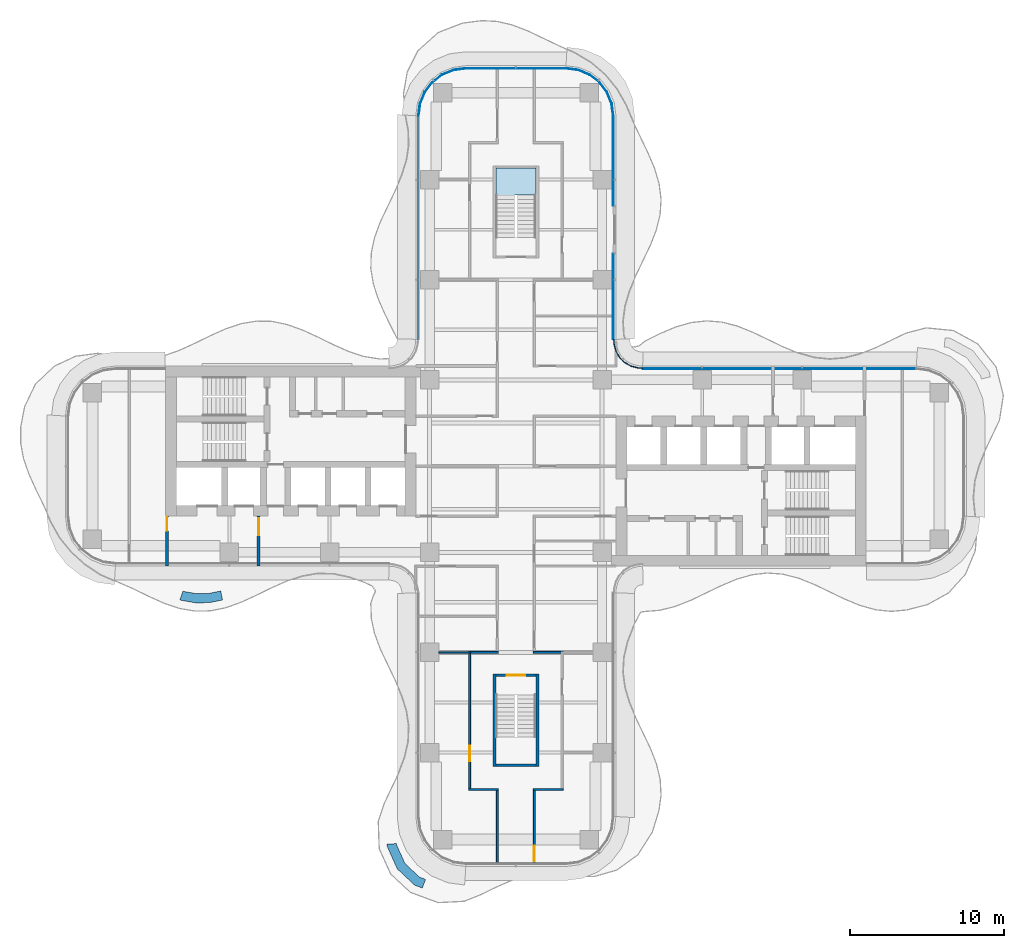
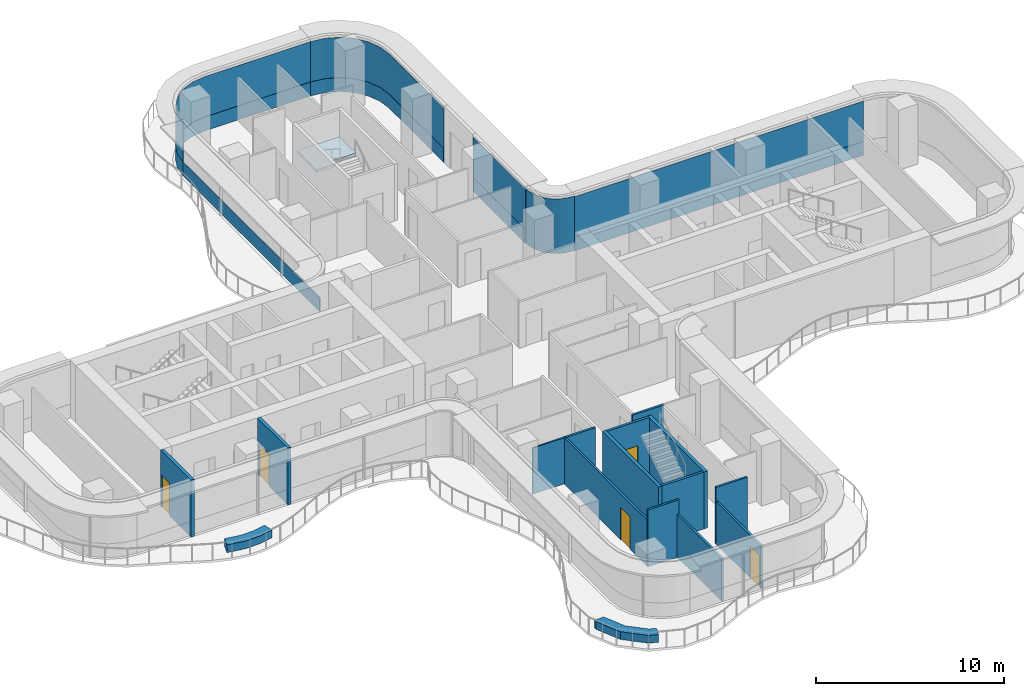
# One storey, part 11 of 17: 16 walls, 10 plates, 5 doors, 1 slab, 5 openings, 7 elements without a shape of their own.
"""IFC4 building model written with IfcOpenShell, lengths in metres."""

from ifc_helpers import new_model, si_unit, direction, frame, frame_2d, origin, place, context, subcontext, project, spatial, polyline, rectangle, outline, extrude, source, transform, mapped, material, layer, layer_set, type_object, element, fill, aggregate, save


model = new_model("IFC4")

# Units and contexts
model_context = context("Model", 3, precision=1e-05, world=origin(), true_north=direction((0.0, 1.0)))
body_context = subcontext(model_context, "Body", "Model", "MODEL_VIEW")
ifc_project = project(units=[si_unit("LENGTHUNIT", "METRE"), si_unit("AREAUNIT", "SQUARE_METRE"), si_unit("VOLUMEUNIT", "CUBIC_METRE"), si_unit("PLANEANGLEUNIT", "RADIAN"), si_unit("MASSUNIT", "GRAM", prefix="KILO")], contexts=[model_context])

# Site, building, storey
site_placement = place(None, origin())
site = spatial("IfcSite", under=ifc_project, at=site_placement, CompositionType="ELEMENT")
building_placement = place(site_placement, origin())
building = spatial("IfcBuilding", under=site, at=building_placement, Name="Trellis Farm Tower", CompositionType="ELEMENT")
storey_placement = place(building_placement, frame((0.0, 0.0, 173.699951171875)))
storey = spatial("IfcBuildingStorey", under=building, at=storey_placement, Name="L37", CompositionType="ELEMENT", Elevation=173.699951171875)

# Curtain wall, plate
ifc_material_1 = material(Name="Aluminium and glass curtain wall", Category="aluminium")
ifc_layer_1 = layer(ifc_material_1, 0.18994140625)
ifc_layer_set_1 = layer_set([ifc_layer_1], Name="RIBBON CURTAIN WALL CW1")
curtain_wall_type_1 = type_object("IfcCurtainWallType", Name="RIBBON CURTAIN WALL CW1", PredefinedType="NOTDEFINED", material=ifc_layer_set_1)
placement_1 = place(storey_placement, origin())
curtain_wall_1 = element("IfcCurtainWall", 1, at=placement_1, inside=storey, type_object=curtain_wall_type_1, Name="CW1 008", PredefinedType="NOTDEFINED")
ifc_material_2 = material(Name="Clear insulated glass", Category="glass")
ifc_layer_2 = layer(ifc_material_2, 0.0400390625)
ifc_layer_set_2 = layer_set([ifc_layer_2], Name="CW1 GLASS PANEL 40")
plate_type_1 = type_object("IfcPlateType", Name="CW1 GLASS PANEL 40", PredefinedType="CURTAIN_PANEL", material=ifc_layer_set_2)
placement_2 = place(storey_placement, frame((0.0, 0.0, 0.900146484375)))
plate_1 = element("IfcPlate", 2, at=placement_2, type_object=plate_type_1, Name="PL1 008", PredefinedType="CURTAIN_PANEL", context=body_context, shape_type="SweptSolid", body=[
    extrude(outline(polyline([(6.35009765625, 8.2265625), (6.35009765625, 13.7900390625), (6.31005859375, 13.7900390625), (6.31005859375, 8.22509765625), (6.35009765625, 8.2265625)])), origin(), (0.0, 0.0, 1.0), 2.619873046875),
])

curtain_wall_2 = element("IfcCurtainWall", 3, at=placement_1, inside=storey, type_object=curtain_wall_type_1, Name="CW1 009", PredefinedType="NOTDEFINED")
plate_2 = element("IfcPlate", 4, at=placement_2, type_object=plate_type_1, Name="PL1 009", PredefinedType="CURTAIN_PANEL", context=body_context, shape_type="SweptSolid", body=[
    extrude(outline(polyline([(6.35009765625, 16.909912109375), (6.35009765625, 22.740234375), (6.2431640625, 23.552001953125), (5.93359375, 24.29931640625), (5.441162109375, 24.941162109375), (4.79931640625, 25.43359375), (4.052001953125, 25.7431640625), (3.240234375, 25.85009765625), (3.237548828125, 25.81005859375), (4.04150390625, 25.7041015625), (4.779296875, 25.398681640625), (5.41259765625, 24.91259765625), (5.898681640625, 24.279296875), (6.2041015625, 23.54150390625), (6.31005859375, 22.737548828125), (6.31005859375, 16.909912109375), (6.35009765625, 16.909912109375)])), origin(), (0.0, 0.0, 1.0), 2.619873046875),
])

# Plate
ifc_material_3 = material(Name="Sandstone faced insulated panel", Category="masonry")
ifc_layer_3 = layer(ifc_material_3, 0.050048828125)
ifc_layer_set_3 = layer_set([ifc_layer_3], Name="CW1 STONE SPANDREL PANEL 50")
plate_type_2 = type_object("IfcPlateType", Name="CW1 STONE SPANDREL PANEL 50", PredefinedType="CURTAIN_PANEL", material=ifc_layer_set_3)
plate_3 = element("IfcPlate", 5, at=placement_1, type_object=plate_type_2, Name="PS1 008", PredefinedType="CURTAIN_PANEL", context=body_context, shape_type="SweptSolid", body=[
    extrude(outline(polyline([(6.35009765625, 8.2265625), (6.35009765625, 13.7900390625), (6.300048828125, 13.7900390625), (6.300048828125, 8.224853515625), (6.35009765625, 8.2265625)])), origin(), (0.0, 0.0, 1.0), 0.900146484375),
])

aggregate(curtain_wall_1, [plate_1, plate_3])

plate_4 = element("IfcPlate", 6, at=placement_1, type_object=plate_type_2, Name="PS1 009", PredefinedType="CURTAIN_PANEL", context=body_context, shape_type="SweptSolid", body=[
    extrude(outline(polyline([(6.35009765625, 16.909912109375), (6.35009765625, 22.740234375), (6.2431640625, 23.552001953125), (5.93359375, 24.29931640625), (5.441162109375, 24.941162109375), (4.79931640625, 25.43359375), (4.052001953125, 25.7431640625), (3.240234375, 25.85009765625), (3.23681640625, 25.800048828125), (4.0390625, 25.6943359375), (4.774169921875, 25.389892578125), (5.405517578125, 24.905517578125), (5.889892578125, 24.274169921875), (6.1943359375, 23.5390625), (6.300048828125, 22.73681640625), (6.300048828125, 16.909912109375), (6.35009765625, 16.909912109375)])), origin(), (0.0, 0.0, 1.0), 0.900146484375),
])

aggregate(curtain_wall_2, [plate_2, plate_4])

# Stair, slab
ifc_material_4 = material(Name="Concrete C50/60", Category="concrete")
stair_type = type_object("IfcStairType", Name="CORE EXIT STAIR 22 RISERS 177 MM", PredefinedType="HALF_TURN_STAIR", material=ifc_material_4)
stair = element("IfcStair", 7, at=placement_1, inside=storey, type_object=stair_type, Name="Exit stair N", PredefinedType="HALF_TURN_STAIR")
ifc_layer_4 = layer(ifc_material_4, 0.18994140625)
ifc_layer_set_4 = layer_set([ifc_layer_4], Name="CORE STAIR LANDING 190 CONCRETE C50/60")
slab_type = type_object("IfcSlabType", Name="CORE STAIR LANDING 190 CONCRETE C50/60", PredefinedType="LANDING", material=ifc_layer_set_4)
shared_shape_1 = source(origin(), body_context, "Body", "SweptSolid", [
    extrude(outline(polyline([(-0.10009765625, 17.27197265625), (-1.300048828125, 17.27197265625), (-1.300048828125, 17.60009765625), (-1.300048828125, 19.35009765625), (1.300048828125, 19.35009765625), (1.300048828125, 17.60009765625), (1.300048828125, 17.590087890625), (0.10009765625, 17.590087890625), (0.10009765625, 17.60009765625), (-0.10009765625, 17.60009765625), (-0.10009765625, 17.27197265625)])), origin(), (0.0, 0.0, 1.0), 0.18994140625),
])
slab_placement = place(storey_placement, frame((0.0, 0.0, 1.760009765625)))
slab = element("IfcSlab", 8, at=slab_placement, type_object=slab_type, Name="STN landing 1", PredefinedType="LANDING", context=body_context, shape_type="MappedRepresentation", body=[
    mapped(shared_shape_1, transform((0.0, 0.0, 0.0))),
])
aggregate(stair, [slab])

# Curtain wall, plate
ifc_layer_5 = layer(ifc_material_1, 0.166015625)
ifc_layer_set_5 = layer_set([ifc_layer_5], Name="WINTER GARDEN CURTAIN WALL CW3")
curtain_wall_type_2 = type_object("IfcCurtainWallType", Name="WINTER GARDEN CURTAIN WALL CW3", PredefinedType="NOTDEFINED", material=ifc_layer_set_5)
curtain_wall_3 = element("IfcCurtainWall", 9, at=placement_1, inside=storey, type_object=curtain_wall_type_2, Name="CW3 003", PredefinedType="NOTDEFINED")
ifc_layer_6 = layer(ifc_material_2, 0.0458984375)
ifc_layer_set_6 = layer_set([ifc_layer_6], Name="CW3 GLASS PANEL 46")
plate_type_3 = type_object("IfcPlateType", Name="CW3 GLASS PANEL 46", PredefinedType="CURTAIN_PANEL", material=ifc_layer_set_6)
shared_shape_2 = source(origin(), body_context, "Body", "SweptSolid", [
    extrude(outline(polyline([(8.2275390625, 6.3798828125), (8.0078125, 6.394287109375), (7.89208984375, 6.40966796875), (7.462158203125, 6.52490234375), (7.070556640625, 6.7509765625), (6.7509765625, 7.070556640625), (6.52490234375, 7.462158203125), (6.40966796875, 7.89208984375), (6.394287109375, 8.0078125), (6.3798828125, 8.2275390625), (6.333984375, 8.22607421875), (6.3486328125, 8.003173828125), (6.364501953125, 7.883056640625), (6.48193359375, 7.4443359375), (6.714111328125, 7.04248046875), (7.04248046875, 6.714111328125), (7.4443359375, 6.48193359375), (7.883056640625, 6.364501953125), (8.003173828125, 6.3486328125), (8.22607421875, 6.333984375), (8.2275390625, 6.3798828125)])), origin(), (0.0, 0.0, 1.0), 3.550048828125),
])
plate_5 = element("IfcPlate", 10, at=placement_1, type_object=plate_type_3, Name="PL3 003", PredefinedType="CURTAIN_PANEL", context=body_context, shape_type="MappedRepresentation", body=[
    mapped(shared_shape_2, transform((0.0, 0.0, 0.0))),
])
aggregate(curtain_wall_3, [plate_5])

# Curtain wall, plates
curtain_wall_4 = element("IfcCurtainWall", 11, at=placement_1, inside=storey, type_object=curtain_wall_type_1, Name="CW1 007", PredefinedType="NOTDEFINED")
shared_shape_3 = source(origin(), body_context, "Body", "SweptSolid", [
    extrude(outline(polyline([(25.990234375, 6.35009765625), (8.2265625, 6.35009765625), (8.22509765625, 6.31005859375), (25.987548828125, 6.31005859375), (25.990234375, 6.35009765625)])), origin(), (0.0, 0.0, 1.0), 2.619873046875),
])
plate_6 = element("IfcPlate", 12, at=placement_2, type_object=plate_type_1, Name="PL1 007", PredefinedType="CURTAIN_PANEL", context=body_context, shape_type="MappedRepresentation", body=[
    mapped(shared_shape_3, transform((0.0, 0.0, 0.0))),
])
shared_shape_4 = source(origin(), body_context, "Body", "SweptSolid", [
    extrude(outline(polyline([(25.990234375, 6.35009765625), (8.2265625, 6.35009765625), (8.224853515625, 6.300048828125), (25.98681640625, 6.300048828125), (25.990234375, 6.35009765625)])), origin(), (0.0, 0.0, 1.0), 0.900146484375),
])
plate_7 = element("IfcPlate", 13, at=placement_1, type_object=plate_type_2, Name="PS1 007", PredefinedType="CURTAIN_PANEL", context=body_context, shape_type="MappedRepresentation", body=[
    mapped(shared_shape_4, transform((0.0, 0.0, 0.0))),
])
aggregate(curtain_wall_4, [plate_6, plate_7])

curtain_wall_5 = element("IfcCurtainWall", 14, at=placement_1, inside=storey, type_object=curtain_wall_type_1, Name="CW1 010", PredefinedType="NOTDEFINED")
shared_shape_5 = source(origin(), body_context, "Body", "SweptSolid", [
    extrude(outline(polyline([(3.240234375, 25.85009765625), (-3.240234375, 25.85009765625), (-4.052001953125, 25.7431640625), (-4.79931640625, 25.43359375), (-5.441162109375, 24.941162109375), (-5.93359375, 24.29931640625), (-6.2431640625, 23.552001953125), (-6.35009765625, 22.740234375), (-6.31005859375, 22.737548828125), (-6.2041015625, 23.54150390625), (-5.898681640625, 24.279296875), (-5.41259765625, 24.91259765625), (-4.779296875, 25.398681640625), (-4.04150390625, 25.7041015625), (-3.237548828125, 25.81005859375), (3.237548828125, 25.81005859375), (3.240234375, 25.85009765625)])), origin(), (0.0, 0.0, 1.0), 2.619873046875),
])
plate_8 = element("IfcPlate", 15, at=placement_2, type_object=plate_type_1, Name="PL1 010", PredefinedType="CURTAIN_PANEL", context=body_context, shape_type="MappedRepresentation", body=[
    mapped(shared_shape_5, transform((0.0, 0.0, 0.0))),
])
shared_shape_6 = source(origin(), body_context, "Body", "SweptSolid", [
    extrude(outline(polyline([(3.240234375, 25.85009765625), (-3.240234375, 25.85009765625), (-4.052001953125, 25.7431640625), (-4.79931640625, 25.43359375), (-5.441162109375, 24.941162109375), (-5.93359375, 24.29931640625), (-6.2431640625, 23.552001953125), (-6.35009765625, 22.740234375), (-6.300048828125, 22.73681640625), (-6.1943359375, 23.5390625), (-5.889892578125, 24.274169921875), (-5.405517578125, 24.905517578125), (-4.774169921875, 25.389892578125), (-4.0390625, 25.6943359375), (-3.23681640625, 25.800048828125), (3.23681640625, 25.800048828125), (3.240234375, 25.85009765625)])), origin(), (0.0, 0.0, 1.0), 0.900146484375),
])
plate_9 = element("IfcPlate", 16, at=placement_1, type_object=plate_type_2, Name="PS1 010", PredefinedType="CURTAIN_PANEL", context=body_context, shape_type="MappedRepresentation", body=[
    mapped(shared_shape_6, transform((0.0, 0.0, 0.0))),
])
aggregate(curtain_wall_5, [plate_8, plate_9])

# Curtain wall, plate
curtain_wall_6 = element("IfcCurtainWall", 17, at=placement_1, inside=storey, type_object=curtain_wall_type_1, Name="CW1 011", PredefinedType="NOTDEFINED")
shared_shape_7 = source(origin(), body_context, "Body", "SweptSolid", [
    extrude(outline(polyline([(-6.35009765625, 22.740234375), (-6.35009765625, 8.2265625), (-6.300048828125, 8.224853515625), (-6.300048828125, 22.73681640625), (-6.35009765625, 22.740234375)])), origin(), (0.0, 0.0, 1.0), 0.900146484375),
])
plate_10 = element("IfcPlate", 18, at=placement_1, type_object=plate_type_2, Name="PS1 011", PredefinedType="CURTAIN_PANEL", context=body_context, shape_type="MappedRepresentation", body=[
    mapped(shared_shape_7, transform((0.0, 0.0, 0.0))),
])
aggregate(curtain_wall_6, [plate_10])

# Walls
ifc_material_5 = material(Name="Sandstone faced masonry planter", Category="masonry")
ifc_layer_7 = layer(ifc_material_5, 0.60009765625)
ifc_layer_set_7 = layer_set([ifc_layer_7], Name="PLANTER BED 600")
wall_type_1 = type_object("IfcWallType", Name="PLANTER BED 600", PredefinedType="USERDEFINED", material=ifc_layer_set_7)
element("IfcWall", 19, at=placement_1, inside=storey, type_object=wall_type_1, Name="PLANTER bed", ObjectType="PLANTER", PredefinedType="USERDEFINED", context=body_context, shape_type="SweptSolid", body=[
    extrude(outline(polyline([(-7.69970703125, -26.15673828125), (-8.352783203125, -24.705078125), (-8.3583984375, -24.535888671875), (-7.758544921875, -24.5166015625), (-7.757080078125, -24.567138671875), (-7.20166015625, -25.80126953125), (-6.255126953125, -26.689697265625), (-5.864501953125, -26.838134765625), (-6.077392578125, -27.39892578125), (-6.5791015625, -27.20849609375), (-7.69970703125, -26.15673828125)])), origin(), (0.0, 0.0, 1.0), 0.5),
])
element("IfcWall", 20, at=placement_1, inside=storey, type_object=wall_type_1, Name="PLANTER bed", ObjectType="PLANTER", PredefinedType="USERDEFINED", context=body_context, shape_type="SweptSolid", body=[
    extrude(outline(polyline([(-20.792236328125, -8.880859375), (-21.702392578125, -8.72314453125), (-21.8173828125, -8.684326171875), (-21.6259765625, -8.11572265625), (-21.554443359375, -8.139892578125), (-20.74560546875, -8.280029296875), (-19.9609375, -8.267578125), (-19.1630859375, -8.10595703125), (-19.0439453125, -8.694091796875), (-19.89599609375, -8.866455078125), (-20.792236328125, -8.880859375)])), origin(), (0.0, 0.0, 1.0), 0.5),
])

# Wall, opening, door
ifc_material_6 = material(Name="Masonry blockwork", Category="masonry")
ifc_layer_8 = layer(ifc_material_6, 0.199951171875)
ifc_layer_set_8 = layer_set([ifc_layer_8], Name="FIRE LOBBY PARTITION 200 BLOCKWORK")
wall_type_2 = type_object("IfcWallType", Name="FIRE LOBBY PARTITION 200 BLOCKWORK", PredefinedType="PARTITIONING", material=ifc_layer_set_8)
shared_shape_8 = source(origin(), body_context, "Body", "SweptSolid", [
    extrude(rectangle(XDim=3.25, YDim=0.199951171875, at=frame_2d((1.625, 0.0))), origin(), (0.0, 0.0, 1.0), 3.699951171875),
])
wall_3_placement = place(storey_placement, frame((-16.699951171875, -3.25, 0.0), z_axis=(0.0, 0.0, 1.0), x_axis=(0.0, -1.0, 0.0)))
wall_3 = element("IfcWall", 21, at=wall_3_placement, inside=storey, type_object=wall_type_2, Name="Fire-fighting lobby partition", PredefinedType="PARTITIONING", context=body_context, shape_type="MappedRepresentation", body=[
    mapped(shared_shape_8, transform((0.0, 0.0, 0.0))),
])
shared_shape_9 = source(origin(), body_context, "Body", "SweptSolid", [
    extrude(rectangle(XDim=1.10009765625, YDim=2.10009765625, at=frame_2d((0.550048828125, 1.050048828125))), frame((0.0, 0.110107421875, 0.0), z_axis=(0.0, -1.0, 0.0), x_axis=(1.0, 0.0, 0.0)), (0.0, 0.0, 1.0), 0.22021484375),
])
opening_1_placement = place(wall_3_placement, frame((0.14990234375, 0.0, 0.0)))
opening_1 = element("IfcOpeningElement", 22, at=opening_1_placement, cuts=wall_3, Name="Opening DC93", PredefinedType="OPENING", context=body_context, shape_type="MappedRepresentation", body=[
    mapped(shared_shape_9, transform((0.0, 0.0, 0.0))),
])
ifc_material_7 = material(Name="Steel", Category="steel")
door_type_1 = type_object("IfcDoorType", Name="CORE FIRE DOOR 1100 X 2100", OperationType="NOTDEFINED", PredefinedType="DOOR", material=ifc_material_7)
shared_shape_10 = source(origin(), body_context, "Body", "SweptSolid", [
    extrude(rectangle(XDim=1.10009765625, YDim=2.10009765625, at=frame_2d((0.550048828125, 1.050048828125))), frame((0.0, 0.02490234375, 0.0), z_axis=(0.0, -1.0, 0.0), x_axis=(1.0, 0.0, 0.0)), (0.0, 0.0, 1.0), 0.050048828125),
])
door_1_placement = place(opening_1_placement, origin())
door_1 = element("IfcDoor", 23, at=door_1_placement, inside=storey, type_object=door_type_1, Name="Core door", OperationType="SINGLE_SWING_RIGHT", OverallHeight=2.10009765625, OverallWidth=1.10009765625, PredefinedType="DOOR", context=body_context, shape_type="MappedRepresentation", body=[
    mapped(shared_shape_10, transform((0.0, 0.0, 0.0))),
])
fill(opening_1, door_1)

wall_4_placement = place(storey_placement, frame((-22.64990234375, -3.25, 0.0), z_axis=(0.0, 0.0, 1.0), x_axis=(0.0, -1.0, 0.0)))
wall_4 = element("IfcWall", 24, at=wall_4_placement, inside=storey, type_object=wall_type_2, Name="Fire-fighting lobby partition", PredefinedType="PARTITIONING", context=body_context, shape_type="MappedRepresentation", body=[
    mapped(shared_shape_8, transform((0.0, 0.0, 0.0))),
])
shared_shape_11 = source(origin(), body_context, "Body", "SweptSolid", [
    extrude(rectangle(XDim=0.89990234375, YDim=2.10009765625, at=frame_2d((0.449951171875, 1.050048828125))), frame((0.0, 0.110107421875, 0.0), z_axis=(0.0, -1.0, 0.0), x_axis=(1.0, 0.0, 0.0)), (0.0, 0.0, 1.0), 0.22021484375),
])
opening_2_placement = place(wall_4_placement, frame((0.050048828125, 0.0, 0.0)))
opening_2 = element("IfcOpeningElement", 25, at=opening_2_placement, cuts=wall_4, Name="Opening DC94", PredefinedType="OPENING", context=body_context, shape_type="MappedRepresentation", body=[
    mapped(shared_shape_11, transform((0.0, 0.0, 0.0))),
])
door_type_2 = type_object("IfcDoorType", Name="CORE FIRE DOOR 900 X 2100", OperationType="NOTDEFINED", PredefinedType="DOOR", material=ifc_material_7)
shared_shape_12 = source(origin(), body_context, "Body", "SweptSolid", [
    extrude(rectangle(XDim=0.89990234375, YDim=2.10009765625, at=frame_2d((0.449951171875, 1.050048828125))), frame((0.0, 0.02490234375, 0.0), z_axis=(0.0, -1.0, 0.0), x_axis=(1.0, 0.0, 0.0)), (0.0, 0.0, 1.0), 0.050048828125),
])
door_2_placement = place(opening_2_placement, origin())
door_2 = element("IfcDoor", 26, at=door_2_placement, inside=storey, type_object=door_type_2, Name="Core door", OperationType="SINGLE_SWING_RIGHT", OverallHeight=2.10009765625, OverallWidth=0.89990234375, PredefinedType="DOOR", context=body_context, shape_type="MappedRepresentation", body=[
    mapped(shared_shape_12, transform((0.0, 0.0, 0.0))),
])
fill(opening_2, door_2)

# Walls
ifc_material_8 = material(Name="Concrete C70/85", Category="concrete")
ifc_layer_9 = layer(ifc_material_8, 0.199951171875)
ifc_layer_set_9 = layer_set([ifc_layer_9], Name="CORE STAIR ENCLOSURE WALL 200 CONCRETE C70/85")
wall_type_3 = type_object("IfcWallType", Name="CORE STAIR ENCLOSURE WALL 200 CONCRETE C70/85", PredefinedType="SHEAR", material=ifc_layer_set_9)
shared_shape_13 = source(origin(), body_context, "Body", "SweptSolid", [
    extrude(rectangle(XDim=6.0, YDim=0.199951171875, at=frame_2d((3.0, 0.0))), origin(), (0.0, 0.0, 1.0), 3.699951171875),
])
for number, where, z_axis, x_axis, name in (
    (27, (1.39990234375, -13.5, 0.0), (0.0, 0.0, 1.0), (0.0, -1.0, 0.0), "Stair enclosure wall"),
    (28, (-1.39990234375, -13.5, 0.0), (0.0, 0.0, 1.0), (0.0, -1.0, 0.0), "Stair enclosure wall"),
):
    element("IfcWall", number, at=place(storey_placement, frame(where, z_axis=z_axis, x_axis=x_axis)), inside=storey, type_object=wall_type_3, Name=name, PredefinedType="SHEAR", context=body_context, shape_type="MappedRepresentation", body=[
        mapped(shared_shape_13, transform((0.0, 0.0, 0.0))),
    ])

# Wall, opening, door
ifc_layer_10 = layer(ifc_material_8, 0.14990234375)
ifc_layer_set_10 = layer_set([ifc_layer_10], Name="CORE STAIR ENCLOSURE WALL 150 CONCRETE C70/85")
wall_type_4 = type_object("IfcWallType", Name="CORE STAIR ENCLOSURE WALL 150 CONCRETE C70/85", PredefinedType="SHEAR", material=ifc_layer_set_10)
shared_shape_14 = source(origin(), body_context, "Body", "SweptSolid", [
    extrude(rectangle(XDim=2.60009765625, YDim=0.14990234375, at=frame_2d((1.300048828125, 0.0))), origin(), (0.0, 0.0, 1.0), 3.699951171875),
])
wall_5_placement = place(storey_placement, frame((1.300048828125, -13.574951171875, 0.0), z_axis=(0.0, 0.0, 1.0), x_axis=(-1.0, 0.0, 0.0)))
wall_5 = element("IfcWall", 29, at=wall_5_placement, inside=storey, type_object=wall_type_4, Name="Stair enclosure wall", PredefinedType="SHEAR", context=body_context, shape_type="MappedRepresentation", body=[
    mapped(shared_shape_14, transform((0.0, 0.0, 0.0))),
])
shared_shape_15 = source(origin(), body_context, "Body", "SweptSolid", [
    extrude(rectangle(XDim=1.199951171875, YDim=2.10009765625, at=frame_2d((0.60009765625, 1.050048828125))), frame((0.0, 0.0849609375, 0.0), z_axis=(0.0, -1.0, 0.0), x_axis=(1.0, 0.0, 0.0)), (0.0, 0.0, 1.0), 0.169921875),
])
opening_3_placement = place(wall_5_placement, frame((0.699951171875, 0.0, 0.0)))
opening_3 = element("IfcOpeningElement", 30, at=opening_3_placement, cuts=wall_5, Name="Opening DC174", PredefinedType="OPENING", context=body_context, shape_type="MappedRepresentation", body=[
    mapped(shared_shape_15, transform((0.0, 0.0, 0.0))),
])
door_type_3 = type_object("IfcDoorType", Name="CORE FIRE DOOR 1200 X 2100", OperationType="NOTDEFINED", PredefinedType="DOOR", material=ifc_material_7)
shared_shape_16 = source(origin(), body_context, "Body", "SweptSolid", [
    extrude(rectangle(XDim=1.199951171875, YDim=2.10009765625, at=frame_2d((0.60009765625, 1.050048828125))), frame((0.0, 0.02490234375, 0.0), z_axis=(0.0, -1.0, 0.0), x_axis=(1.0, 0.0, 0.0)), (0.0, 0.0, 1.0), 0.050048828125),
])
door_3_placement = place(opening_3_placement, origin())
door_3 = element("IfcDoor", 31, at=door_3_placement, inside=storey, type_object=door_type_3, Name="Core door", OperationType="SINGLE_SWING_RIGHT", OverallHeight=2.10009765625, OverallWidth=1.199951171875, PredefinedType="DOOR", context=body_context, shape_type="MappedRepresentation", body=[
    mapped(shared_shape_16, transform((0.0, 0.0, 0.0))),
])
fill(opening_3, door_3)

# Walls
wall_6_placement = place(storey_placement, frame((1.300048828125, -19.425048828125, 0.0), z_axis=(0.0, 0.0, 1.0), x_axis=(-1.0, 0.0, 0.0)))
element("IfcWall", 32, at=wall_6_placement, inside=storey, type_object=wall_type_4, Name="Stair enclosure wall", PredefinedType="SHEAR", context=body_context, shape_type="MappedRepresentation", body=[
    mapped(shared_shape_14, transform((0.0, 0.0, 0.0))),
])
ifc_material_9 = material(Name="Plasterboard on steel studs", Category="steel")
ifc_layer_11 = layer(ifc_material_9, 0.10009765625)
ifc_layer_set_11 = layer_set([ifc_layer_11], Name="PARTITION 100 STUD EI 30")
wall_type_5 = type_object("IfcWallType", Name="PARTITION 100 STUD EI 30", PredefinedType="PARTITIONING", material=ifc_layer_set_11)
shared_shape_17 = source(origin(), body_context, "Body", "SweptSolid", [
    extrude(rectangle(XDim=2.0625, YDim=0.10009765625, at=frame_2d((1.03125, 0.0))), origin(), (0.0, 0.0, 1.0), 2.99658203125),
])
wall_7_placement = place(storey_placement, frame((-5.0, -12.10009765625, 0.0), z_axis=(0.0, 0.0, 1.0), x_axis=(1.0, 0.0, 0.0)))
element("IfcWall", 33, at=wall_7_placement, inside=storey, type_object=wall_type_5, Name="Partition PW2", PredefinedType="PARTITIONING", context=body_context, shape_type="MappedRepresentation", body=[
    mapped(shared_shape_17, transform((0.0, 0.0, 0.0))),
])
ifc_material_10 = material(Name="Plasterboard on steel studs, mineral wool", Category="steel")
ifc_layer_12 = layer(ifc_material_10, 0.125)
ifc_layer_set_12 = layer_set([ifc_layer_12], Name="PARTITION 125 STUD EI 60")
wall_type_6 = type_object("IfcWallType", Name="PARTITION 125 STUD EI 60", PredefinedType="PARTITIONING", material=ifc_layer_set_12)
shared_shape_18 = source(origin(), body_context, "Body", "SweptSolid", [
    extrude(rectangle(XDim=4.737548828125, YDim=0.125, at=frame_2d((2.36865234375, 0.0))), origin(), (0.0, 0.0, 1.0), 2.780029296875),
])
wall_8_placement = place(storey_placement, frame((-1.199951171875, -21.0625, 0.0), z_axis=(0.0, 0.0, 1.0), x_axis=(0.0, -1.0, 0.0)))
element("IfcWall", 34, at=wall_8_placement, inside=storey, type_object=wall_type_6, Name="Partition PW1", PredefinedType="PARTITIONING", context=body_context, shape_type="MappedRepresentation", body=[
    mapped(shared_shape_18, transform((0.0, 0.0, 0.0))),
])

# Wall, opening, door
wall_9_placement = place(storey_placement, frame((1.199951171875, -21.0625, 0.0), z_axis=(0.0, 0.0, 1.0), x_axis=(0.0, -1.0, 0.0)))
wall_9 = element("IfcWall", 35, at=wall_9_placement, inside=storey, type_object=wall_type_6, Name="Partition PW1", PredefinedType="PARTITIONING", context=body_context, shape_type="MappedRepresentation", body=[
    mapped(shared_shape_18, transform((0.0, 0.0, 0.0))),
])
shared_shape_19 = source(origin(), body_context, "Body", "SweptSolid", [
    extrude(rectangle(XDim=1.0, YDim=2.10009765625, at=frame_2d((0.5, 1.050048828125))), frame((0.0, 0.072509765625, 0.0), z_axis=(0.0, -1.0, 0.0), x_axis=(1.0, 0.0, 0.0)), (0.0, 0.0, 1.0), 0.14501953125),
])
opening_4_placement = place(wall_9_placement, frame((3.58740234375, 0.0, 0.0)))
opening_4 = element("IfcOpeningElement", 36, at=opening_4_placement, cuts=wall_9, Name="Opening D101", PredefinedType="OPENING", context=body_context, shape_type="MappedRepresentation", body=[
    mapped(shared_shape_19, transform((0.0, 0.0, 0.0))),
])
ifc_material_11 = material(Name="Fire-rated timber door leaf in a hollow metal frame", Category="wood")
door_type_4 = type_object("IfcDoorType", Name="DOOR 1000x2100 FD30S", OperationType="NOTDEFINED", PredefinedType="DOOR", material=ifc_material_11)
shared_shape_20 = source(origin(), body_context, "Body", "SweptSolid", [
    extrude(rectangle(XDim=1.0, YDim=2.10009765625, at=frame_2d((0.5, 1.050048828125))), frame((0.0, 0.02490234375, 0.0), z_axis=(0.0, -1.0, 0.0), x_axis=(1.0, 0.0, 0.0)), (0.0, 0.0, 1.0), 0.050048828125),
])
door_4_placement = place(opening_4_placement, origin())
door_4 = element("IfcDoor", 37, at=door_4_placement, inside=storey, type_object=door_type_4, Name="Door D101", OperationType="SINGLE_SWING_RIGHT", OverallHeight=2.10009765625, OverallWidth=1.0, PredefinedType="DOOR", context=body_context, shape_type="MappedRepresentation", body=[
    mapped(shared_shape_20, transform((0.0, 0.0, 0.0))),
])
fill(opening_4, door_4)

shared_shape_21 = source(origin(), body_context, "Body", "SweptSolid", [
    extrude(rectangle(XDim=8.78759765625, YDim=0.125, at=frame_2d((4.393798828125, 0.0))), origin(), (0.0, 0.0, 1.0), 2.99658203125),
])
wall_10_placement = place(storey_placement, frame((-3.0, -20.9375, 0.0), z_axis=(0.0, 0.0, 1.0), x_axis=(0.0, 1.0, 0.0)))
wall_10 = element("IfcWall", 38, at=wall_10_placement, inside=storey, type_object=wall_type_6, Name="Partition PW1", PredefinedType="PARTITIONING", context=body_context, shape_type="MappedRepresentation", body=[
    mapped(shared_shape_21, transform((0.0, 0.0, 0.0))),
])
opening_5_placement = place(wall_10_placement, frame((1.78759765625, 0.0, 0.0)))
opening_5 = element("IfcOpeningElement", 39, at=opening_5_placement, cuts=wall_10, Name="Opening D102", PredefinedType="OPENING", context=body_context, shape_type="MappedRepresentation", body=[
    mapped(shared_shape_19, transform((0.0, 0.0, 0.0))),
])
door_5_placement = place(opening_5_placement, origin())
door_5 = element("IfcDoor", 40, at=door_5_placement, inside=storey, type_object=door_type_4, Name="Door D102", OperationType="SINGLE_SWING_LEFT", OverallHeight=2.10009765625, OverallWidth=1.0, PredefinedType="DOOR", context=body_context, shape_type="MappedRepresentation", body=[
    mapped(shared_shape_20, transform((0.0, 0.0, 0.0))),
])
fill(opening_5, door_5)

# Walls
shared_shape_22 = source(origin(), body_context, "Body", "SweptSolid", [
    extrude(rectangle(XDim=1.925048828125, YDim=0.125, at=frame_2d((0.96240234375, 0.0))), origin(), (0.0, 0.0, 1.0), 3.699951171875),
])
for number, where, z_axis, x_axis, name in (
    (41, (-1.137451171875, -21.0, 0.0), (0.0, 0.0, 1.0), (-1.0, 0.0, 0.0), "Partition PW1"),
    (42, (3.0625, -21.0, 0.0), (0.0, 0.0, 1.0), (-1.0, 0.0, 0.0), "Partition PW1"),
):
    element("IfcWall", number, at=place(storey_placement, frame(where, z_axis=z_axis, x_axis=x_axis)), inside=storey, type_object=wall_type_6, Name=name, PredefinedType="PARTITIONING", context=body_context, shape_type="MappedRepresentation", body=[
        mapped(shared_shape_22, transform((0.0, 0.0, 0.0))),
    ])
shared_shape_23 = source(origin(), body_context, "Body", "SweptSolid", [
    extrude(rectangle(XDim=1.925048828125, YDim=0.125, at=frame_2d((0.96240234375, 0.0))), origin(), (0.0, 0.0, 1.0), 2.99658203125),
])
for number, where, z_axis, x_axis, name in (
    (43, (-3.0625, -12.10009765625, 0.0), (0.0, 0.0, 1.0), (1.0, 0.0, 0.0), "Partition PW1"),
    (44, (1.137451171875, -12.10009765625, 0.0), (0.0, 0.0, 1.0), (1.0, 0.0, 0.0), "Partition PW1"),
):
    element("IfcWall", number, at=place(storey_placement, frame(where, z_axis=z_axis, x_axis=x_axis)), inside=storey, type_object=wall_type_6, Name=name, PredefinedType="PARTITIONING", context=body_context, shape_type="MappedRepresentation", body=[
        mapped(shared_shape_23, transform((0.0, 0.0, 0.0))),
    ])

save(model, "model.ifc")
